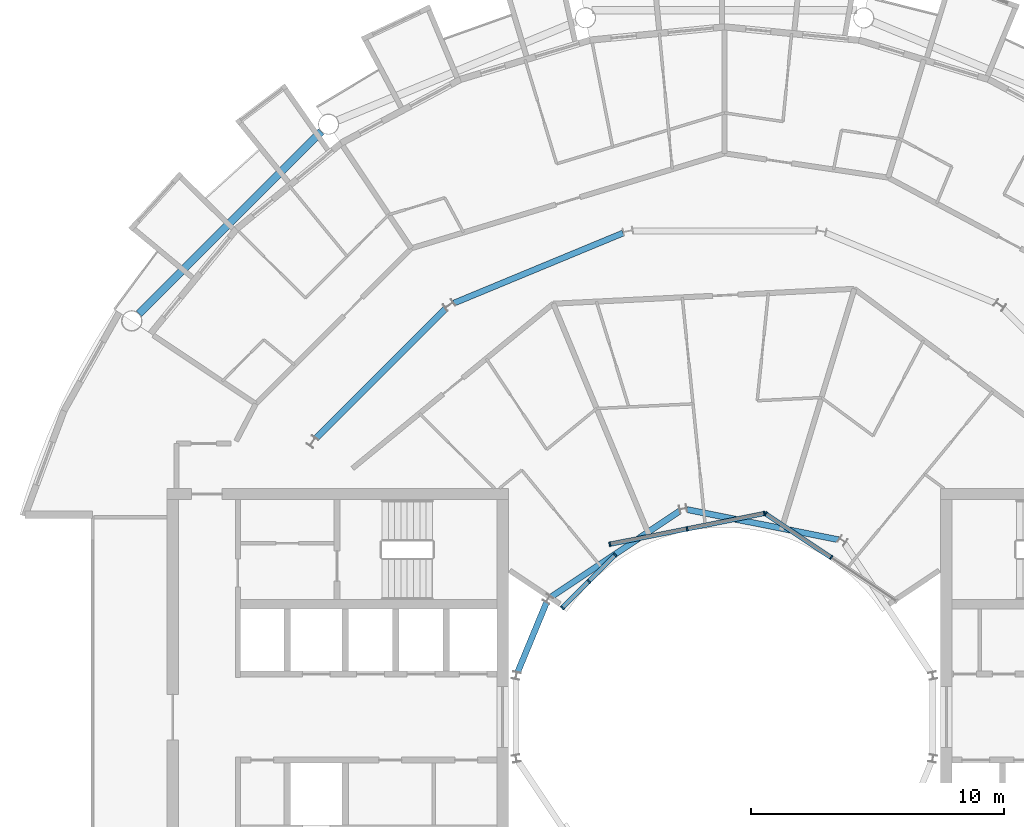
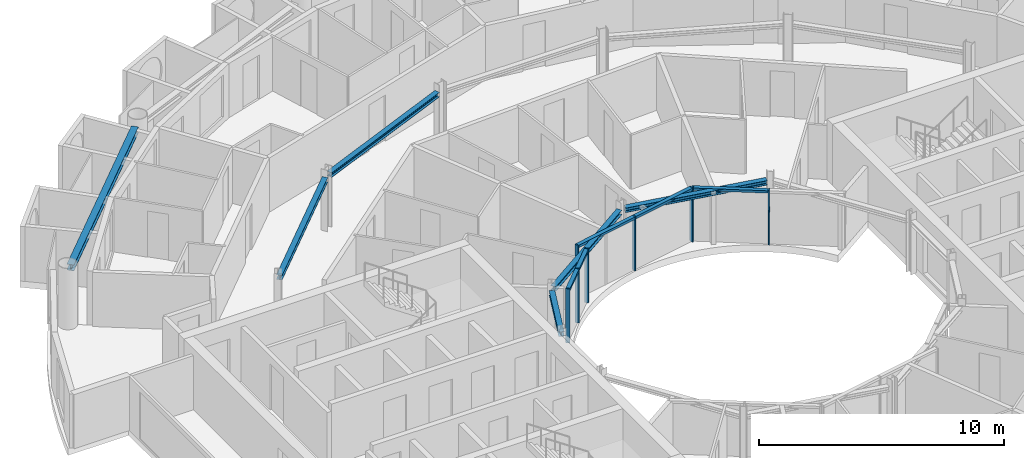
# One storey, part 9 of 29: 13 members, 6 beams, 3 elements without a shape of their own.
"""IFC4 building model written with IfcOpenShell, lengths in metres."""

from ifc_helpers import new_model, si_unit, direction, frame, origin, origin_2d, place, context, subcontext, project, spatial, rectangle, i_section, extrude, material, layer, layer_set, material_profile, profile_set, type_object, element, aggregate, save


model = new_model("IFC4")

# Units and contexts
model_context = context("Model", 3, precision=1e-05, world=origin(), true_north=direction((0.0, 1.0)))
body_context = subcontext(model_context, "Body", "Model", "MODEL_VIEW")
ifc_project = project(units=[si_unit("LENGTHUNIT", "METRE"), si_unit("AREAUNIT", "SQUARE_METRE"), si_unit("VOLUMEUNIT", "CUBIC_METRE"), si_unit("PLANEANGLEUNIT", "RADIAN"), si_unit("MASSUNIT", "GRAM", prefix="KILO")], contexts=[model_context])

# Site, building, storey
site_placement = place(None, origin())
site = spatial("IfcSite", under=ifc_project, at=site_placement, CompositionType="ELEMENT")
building_placement = place(site_placement, origin())
building = spatial("IfcBuilding", under=site, at=building_placement, Name="Maasbend Ring Residences", CompositionType="ELEMENT")
storey_placement = place(building_placement, frame((0.0, 0.0, 205.449951171875)))
storey = spatial("IfcBuildingStorey", under=building, at=storey_placement, Name="L59", CompositionType="ELEMENT", Elevation=205.449951171875)

# Curtain wall, members
ifc_material_1 = material(Name="Aluminium and clear glass", Category="aluminium")
ifc_layer = layer(ifc_material_1, 0.179931640625)
ifc_layer_set = layer_set([ifc_layer], Name="CW-W")
curtain_wall_type = type_object("IfcCurtainWallType", Name="CW-W", PredefinedType="NOTDEFINED", material=ifc_layer_set)
curtain_wall_1_placement = place(storey_placement, origin())
curtain_wall_1 = element("IfcCurtainWall", 1, at=curtain_wall_1_placement, inside=storey, type_object=curtain_wall_type, Name="Well curtain wall N1", PredefinedType="NOTDEFINED")
ifc_material_2 = material(Name="Aluminium 6063-T6", Category="aluminium")
ifc_material_profile_1 = material_profile(ifc_material_2, rectangle(XDim=0.179931640625, YDim=0.06005859375, at=origin_2d()), Name="AL 180x60")
ifc_profile_set_1 = profile_set([ifc_material_profile_1], Name="Aluminium 6063-T6")
member_type_1 = type_object("IfcMemberType", Name="CWM-W", PredefinedType="MULLION", material=ifc_profile_set_1)
member_1_placement = place(storey_placement, frame((4.216796875, 6.310791015625, 0.0), z_axis=(0.0, 0.0, 1.0), x_axis=(-0.55557023302, -0.831469612303, 0.0)))
member_1 = element("IfcMember", 2, at=member_1_placement, type_object=member_type_1, Name="Mullion well face", PredefinedType="MULLION", context=body_context, shape_type="SweptSolid", body=[
    extrude(rectangle(XDim=0.179931640625, YDim=0.06005859375, at=origin_2d()), origin(), (0.0, 0.0, 1.0), 2.699951171875),
])
member_2_placement = place(storey_placement, frame((1.627685546875, 8.040771484375, 0.0), z_axis=(0.0, 0.0, 1.0), x_axis=(-0.55557023302, -0.831469612303, 0.0)))
member_2 = element("IfcMember", 3, at=member_2_placement, type_object=member_type_1, Name="Mullion well face", PredefinedType="MULLION", context=body_context, shape_type="SweptSolid", body=[
    extrude(rectangle(XDim=0.179931640625, YDim=0.06005859375, at=origin_2d()), origin(), (0.0, 0.0, 1.0), 2.699951171875),
])

curtain_wall_2_placement = place(storey_placement, origin())
curtain_wall_2 = element("IfcCurtainWall", 4, at=curtain_wall_2_placement, inside=storey, type_object=curtain_wall_type, Name="Well curtain wall N2", PredefinedType="NOTDEFINED")
member_3_placement = place(storey_placement, frame((1.5732421875, 8.0517578125, 0.0), z_axis=(0.0, 0.0, 1.0), x_axis=(0.195090322016, -0.980785280403, 0.0)))
member_3 = element("IfcMember", 5, at=member_3_placement, type_object=member_type_1, Name="Mullion well face", PredefinedType="MULLION", context=body_context, shape_type="SweptSolid", body=[
    extrude(rectangle(XDim=0.179931640625, YDim=0.06005859375, at=origin_2d()), origin(), (0.0, 0.0, 1.0), 2.699951171875),
])
member_4_placement = place(storey_placement, frame((-1.480712890625, 7.444091796875, 0.0), z_axis=(0.0, 0.0, 1.0), x_axis=(0.195090322016, -0.980785280403, 0.0)))
member_4 = element("IfcMember", 6, at=member_4_placement, type_object=member_type_1, Name="Mullion well face", PredefinedType="MULLION", context=body_context, shape_type="SweptSolid", body=[
    extrude(rectangle(XDim=0.179931640625, YDim=0.06005859375, at=origin_2d()), origin(), (0.0, 0.0, 1.0), 2.699951171875),
])
member_5_placement = place(storey_placement, frame((-4.53466796875, 6.836669921875, 0.0), z_axis=(0.0, 0.0, 1.0), x_axis=(0.195090322016, -0.980785280403, 0.0)))
member_5 = element("IfcMember", 7, at=member_5_placement, type_object=member_type_1, Name="Mullion well face", PredefinedType="MULLION", context=body_context, shape_type="SweptSolid", body=[
    extrude(rectangle(XDim=0.179931640625, YDim=0.06005859375, at=origin_2d()), origin(), (0.0, 0.0, 1.0), 2.699951171875),
])

curtain_wall_3_placement = place(storey_placement, origin())
curtain_wall_3 = element("IfcCurtainWall", 8, at=curtain_wall_3_placement, inside=storey, type_object=curtain_wall_type, Name="Well curtain wall N3", PredefinedType="NOTDEFINED")
member_6_placement = place(storey_placement, frame((-4.320556640625, 6.413330078125, 0.0), z_axis=(0.0, 0.0, 1.0), x_axis=(0.707106781187, -0.707106781187, 0.0)))
member_6 = element("IfcMember", 9, at=member_6_placement, type_object=member_type_1, Name="Mullion well face", PredefinedType="MULLION", context=body_context, shape_type="SweptSolid", body=[
    extrude(rectangle(XDim=0.179931640625, YDim=0.06005859375, at=origin_2d()), origin(), (0.0, 0.0, 1.0), 2.699951171875),
])
member_7_placement = place(storey_placement, frame((-5.366943359375, 5.366943359375, 0.0), z_axis=(0.0, 0.0, 1.0), x_axis=(0.707106781187, -0.707106781187, 0.0)))
member_7 = element("IfcMember", 10, at=member_7_placement, type_object=member_type_1, Name="Mullion well face", PredefinedType="MULLION", context=body_context, shape_type="SweptSolid", body=[
    extrude(rectangle(XDim=0.179931640625, YDim=0.06005859375, at=origin_2d()), origin(), (0.0, 0.0, 1.0), 2.699951171875),
])
member_8_placement = place(storey_placement, frame((-6.413330078125, 4.320556640625, 0.0), z_axis=(0.0, 0.0, 1.0), x_axis=(0.707106781187, -0.707106781187, 0.0)))
member_8 = element("IfcMember", 11, at=member_8_placement, type_object=member_type_1, Name="Mullion well face", PredefinedType="MULLION", context=body_context, shape_type="SweptSolid", body=[
    extrude(rectangle(XDim=0.179931640625, YDim=0.06005859375, at=origin_2d()), origin(), (0.0, 0.0, 1.0), 2.699951171875),
])

# Member
ifc_material_3 = material(Name="Aluminium 6063-T6", Category="aluminium")
ifc_material_profile_2 = material_profile(ifc_material_3, rectangle(XDim=0.179931640625, YDim=0.1201171875, at=origin_2d()), Name="AL 180x120")
ifc_profile_set_2 = profile_set([ifc_material_profile_2], Name="Aluminium 6063-T6")
member_type_2 = type_object("IfcMemberType", Name="CWT-W", PredefinedType="USERDEFINED", material=ifc_profile_set_2)
member_9_placement = place(storey_placement, frame((4.19189453125, 6.32763671875, 2.64013671875), z_axis=(-0.831496422459, 0.555530106689, 0.0), x_axis=(-0.555530106689, -0.831496422459, 0.0)))
member_9 = element("IfcMember", 12, at=member_9_placement, type_object=member_type_2, Name="Transom well face", ObjectType="TRANSOM", PredefinedType="USERDEFINED", context=body_context, shape_type="SweptSolid", body=[
    extrude(rectangle(XDim=0.179931640625, YDim=0.1201171875, at=origin_2d()), origin(), (0.0, 0.0, 1.0), 3.053955078125),
])

aggregate(curtain_wall_1, [member_1, member_2, member_9])

member_10_placement = place(storey_placement, frame((1.5439453125, 8.0458984375, 2.64013671875), z_axis=(-0.980776956105, -0.195132166424, 0.0), x_axis=(0.195132166424, -0.980776956105, 0.0)))
member_10 = element("IfcMember", 13, at=member_10_placement, type_object=member_type_2, Name="Transom well face", ObjectType="TRANSOM", PredefinedType="USERDEFINED", context=body_context, shape_type="SweptSolid", body=[
    extrude(rectangle(XDim=0.179931640625, YDim=0.1201171875, at=origin_2d()), origin(), (0.0, 0.0, 1.0), 3.053955078125),
])

member_11_placement = place(storey_placement, frame((-1.51025390625, 7.438232421875, 2.64013671875), z_axis=(-0.980789210404, -0.19507056353, 0.0), x_axis=(0.19507056353, -0.980789210404, 0.0)))
member_11 = element("IfcMember", 14, at=member_11_placement, type_object=member_type_2, Name="Transom well face", ObjectType="TRANSOM", PredefinedType="USERDEFINED", context=body_context, shape_type="SweptSolid", body=[
    extrude(rectangle(XDim=0.179931640625, YDim=0.1201171875, at=origin_2d()), origin(), (0.0, 0.0, 1.0), 3.0537109375),
])

aggregate(curtain_wall_2, [member_3, member_4, member_5, member_10, member_11])

member_12_placement = place(storey_placement, frame((-4.341796875, 6.39208984375, 2.64013671875), z_axis=(-0.707106781187, -0.707106781187, 0.0), x_axis=(0.707106781187, -0.707106781187, 0.0)))
member_12 = element("IfcMember", 15, at=member_12_placement, type_object=member_type_2, Name="Transom well face", ObjectType="TRANSOM", PredefinedType="USERDEFINED", context=body_context, shape_type="SweptSolid", body=[
    extrude(rectangle(XDim=0.179931640625, YDim=0.1201171875, at=origin_2d()), origin(), (0.0, 0.0, 1.0), 1.419677734375),
])

member_13_placement = place(storey_placement, frame((-5.38818359375, 5.345703125, 2.64013671875), z_axis=(-0.707106781187, -0.707106781187, 0.0), x_axis=(0.707106781187, -0.707106781187, 0.0)))
member_13 = element("IfcMember", 16, at=member_13_placement, type_object=member_type_2, Name="Transom well face", ObjectType="TRANSOM", PredefinedType="USERDEFINED", context=body_context, shape_type="SweptSolid", body=[
    extrude(rectangle(XDim=0.179931640625, YDim=0.1201171875, at=origin_2d()), origin(), (0.0, 0.0, 1.0), 1.419677734375),
])

aggregate(curtain_wall_3, [member_6, member_7, member_8, member_12, member_13])

# Beams
ifc_material_4 = material(Name="Steel S355J2", Category="steel")
ifc_material_profile_3 = material_profile(ifc_material_4, i_section(OverallWidth=0.239990234375, OverallDepth=0.22998046875, WebThickness=0.007568359375, FlangeThickness=0.011962890625, FilletRadius=0.02099609375, at=origin_2d()), Name="HEA 240")
ifc_profile_set_3 = profile_set([ifc_material_profile_3], Name="Steel S355J2")
beam_type_1 = type_object("IfcBeamType", Name="Corridor ring beam HEA 240", PredefinedType="BEAM", material=ifc_profile_set_3)
beam_1_placement = place(storey_placement, frame((-4.01220703125, 19.1455078125, 2.5849609375), z_axis=(-0.923865162022, -0.382718123952, 0.0), x_axis=(0.382718123952, -0.923865162022, 0.0)))
element("IfcBeam", 17, at=beam_1_placement, inside=storey, type_object=beam_type_1, Name="Corridor ring beam", PredefinedType="BEAM", context=body_context, shape_type="SweptSolid", body=[
    extrude(i_section(OverallWidth=0.239990234375, OverallDepth=0.22998046875, WebThickness=0.007568359375, FlangeThickness=0.011962890625, FilletRadius=0.02099609375, at=origin_2d()), origin(), (0.0, 0.0, 1.0), 7.23974609375),
])
beam_2_placement = place(storey_placement, frame((-11.033447265625, 16.152587890625, 2.5849609375), z_axis=(-0.707106781187, -0.707106781187, 0.0), x_axis=(0.707106781187, -0.707106781187, 0.0)))
element("IfcBeam", 18, at=beam_2_placement, inside=storey, type_object=beam_type_1, Name="Corridor ring beam", PredefinedType="BEAM", context=body_context, shape_type="SweptSolid", body=[
    extrude(i_section(OverallWidth=0.239990234375, OverallDepth=0.22998046875, WebThickness=0.007568359375, FlangeThickness=0.011962890625, FilletRadius=0.02099609375, at=origin_2d()), origin(), (0.0, 0.0, 1.0), 7.239501953125),
])
ifc_material_5 = material(Name="Steel S355J2", Category="steel")
ifc_material_profile_4 = material_profile(ifc_material_5, i_section(OverallWidth=0.300048828125, OverallDepth=0.300048828125, WebThickness=0.010986328125, FlangeThickness=0.01904296875, FilletRadius=0.027099609375, at=origin_2d()), Name="HEB 300")
ifc_profile_set_4 = profile_set([ifc_material_profile_4], Name="Steel S355J2")
beam_type_2 = type_object("IfcBeamType", Name="Spandrel ring beam HEB 300", PredefinedType="SPANDREL", material=ifc_profile_set_4)
beam_3_placement = place(storey_placement, frame((-15.95458984375, 23.159912109375, 2.550048828125), z_axis=(-0.707106781187, -0.707106781187, 0.0), x_axis=(0.707106781187, -0.707106781187, 0.0)))
element("IfcBeam", 19, at=beam_3_placement, inside=storey, type_object=beam_type_2, Name="Spandrel ring beam", PredefinedType="SPANDREL", context=body_context, shape_type="SweptSolid", body=[
    extrude(i_section(OverallWidth=0.300048828125, OverallDepth=0.300048828125, WebThickness=0.010986328125, FlangeThickness=0.01904296875, FilletRadius=0.027099609375, at=origin_2d()), origin(), (0.0, 0.0, 1.0), 10.18994140625),
])
ifc_material_6 = material(Name="Steel S355J2", Category="steel")
ifc_material_profile_5 = material_profile(ifc_material_6, i_section(OverallWidth=0.239990234375, OverallDepth=0.22998046875, WebThickness=0.007568359375, FlangeThickness=0.011962890625, FilletRadius=0.02099609375, at=origin_2d()), Name="HEA 240")
ifc_profile_set_5 = profile_set([ifc_material_profile_5], Name="Steel S355J2")
beam_type_3 = type_object("IfcBeamType", Name="Well edge beam HEA 240", PredefinedType="BEAM", material=ifc_profile_set_5)
for number, where, z_axis, x_axis, name in (
    (20, (4.512939453125, 7.014892578125, 2.5849609375), (-0.980782836869, 0.195102606089, 0.0), (-0.195102606089, -0.980782836869, 0.0), "Well edge beam"),
    (21, (-1.769287109375, 8.1513671875, 2.5849609375), (-0.831460175376, -0.555584356119, 0.0), (0.555584356119, -0.831460175376, 0.0), "Well edge beam"),
):
    element("IfcBeam", number, at=place(storey_placement, frame(where, z_axis=z_axis, x_axis=x_axis)), inside=storey, type_object=beam_type_3, Name=name, PredefinedType="BEAM", context=body_context, shape_type="SweptSolid", body=[
        extrude(i_section(OverallWidth=0.239990234375, OverallDepth=0.22998046875, WebThickness=0.007568359375, FlangeThickness=0.011962890625, FilletRadius=0.02099609375, at=origin_2d()), origin(), (0.0, 0.0, 1.0), 6.115234375),
    ])
beam_4_placement = place(storey_placement, frame((-7.041015625, 4.5302734375, 2.5849609375), z_axis=(-0.382614534057, -0.923908068115, 0.0), x_axis=(0.923908068115, -0.382614534057, 0.0)))
element("IfcBeam", 22, at=beam_4_placement, inside=storey, type_object=beam_type_3, Name="Well edge beam", PredefinedType="BEAM", context=body_context, shape_type="SweptSolid", body=[
    extrude(i_section(OverallWidth=0.239990234375, OverallDepth=0.22998046875, WebThickness=0.007568359375, FlangeThickness=0.011962890625, FilletRadius=0.02099609375, at=origin_2d()), origin(), (0.0, 0.0, 1.0), 2.981689453125),
])

save(model, "model.ifc")
